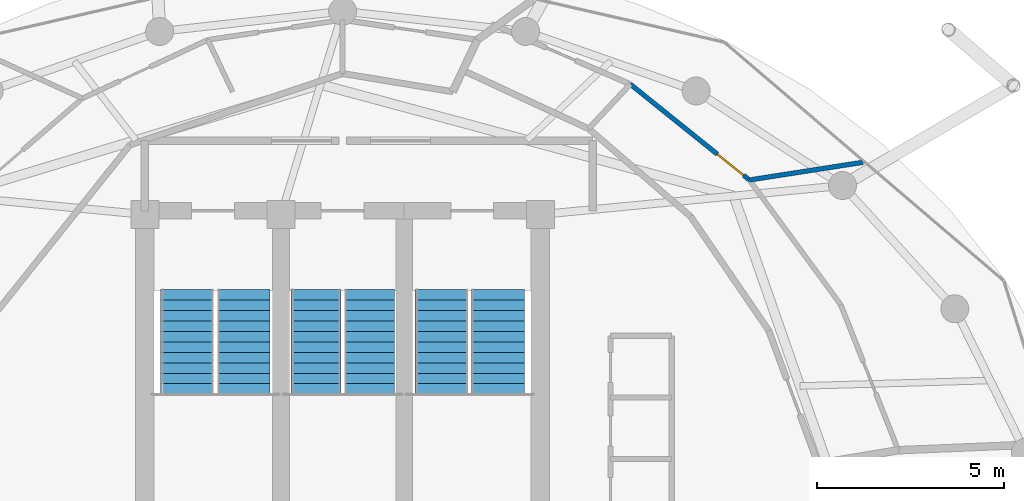
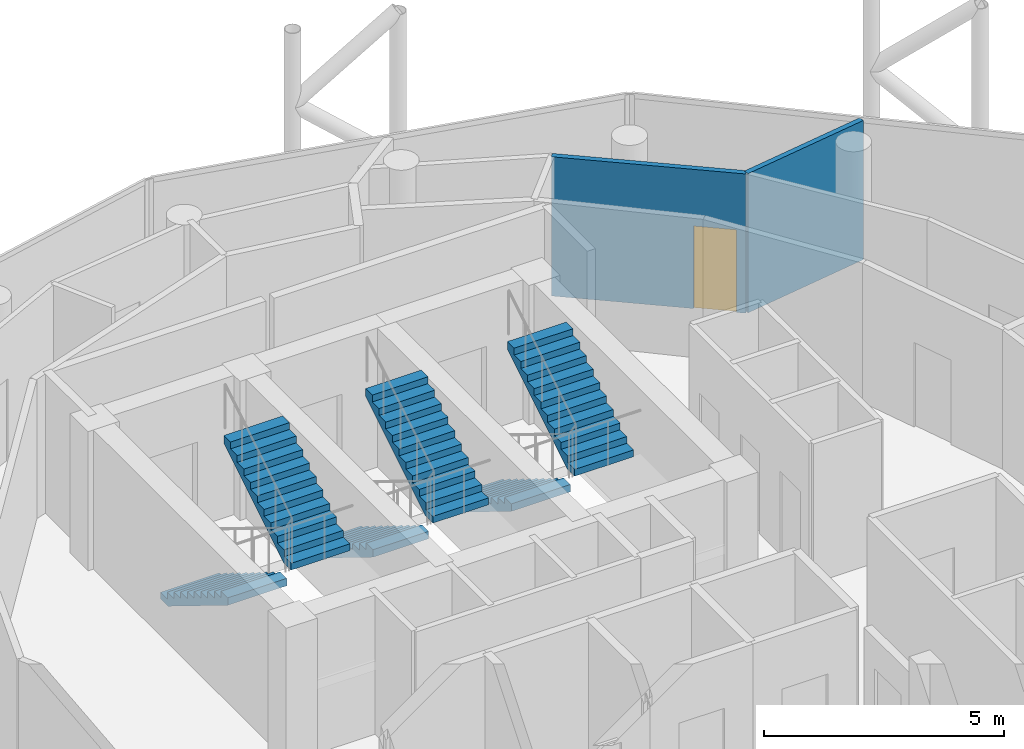
# One storey, part 23 of 24: 6 stair flights, 2 walls, 1 door, 1 opening, 3 elements without a shape of their own.
"""IFC4 building model written with IfcOpenShell, lengths in metres."""

from ifc_helpers import new_model, si_unit, direction, frame, frame_2d, origin, place, context, subcontext, project, spatial, polyline, rectangle, outline, extrude, material, layer, layer_set, type_object, element, fill, aggregate, save


model = new_model("IFC4")

# Units and contexts
model_context = context("Model", 3, precision=1e-05, world=origin(), true_north=direction((0.0, 1.0)))
body_context = subcontext(model_context, "Body", "Model", "MODEL_VIEW")
ifc_project = project(units=[si_unit("LENGTHUNIT", "METRE"), si_unit("AREAUNIT", "SQUARE_METRE"), si_unit("VOLUMEUNIT", "CUBIC_METRE"), si_unit("PLANEANGLEUNIT", "RADIAN"), si_unit("MASSUNIT", "GRAM", prefix="KILO")], contexts=[model_context])

# Site, building, storey
site_placement = place(None, origin())
site = spatial("IfcSite", under=ifc_project, at=site_placement, CompositionType="ELEMENT")
building_placement = place(site_placement, origin())
building = spatial("IfcBuilding", under=site, at=building_placement, Name="Nuhasar Tower", CompositionType="ELEMENT")
storey_placement = place(building_placement, frame((0.0, 0.0, 289.800048828125)))
storey = spatial("IfcBuildingStorey", under=building, at=storey_placement, Name="L72", CompositionType="ELEMENT", Elevation=289.800048828125)

# Wall, opening, door
ifc_material_1 = material(Name="Gypsum Board", Category="gypsum")
ifc_layer = layer(ifc_material_1, 0.125)
ifc_layer_set = layer_set([ifc_layer], Name="Gypsum Board")
wall_type = type_object("IfcWallType", Name="WL-PART-125", PredefinedType="PARTITIONING", material=ifc_layer_set)
wall_1_placement = place(storey_placement, frame((46.7099609375, 40.794921875, 0.0), z_axis=(0.0, 0.0, 1.0), x_axis=(0.779367114883, -0.62656755441, 0.0)))
wall_1 = element("IfcWall", 1, at=wall_1_placement, inside=storey, type_object=wall_type, Name="L72 Interior Partition UMID-04-A-06", PredefinedType="PARTITIONING", context=body_context, shape_type="SweptSolid", body=[
    extrude(rectangle(XDim=4.098388671875, YDim=0.125, at=frame_2d((2.04931640625, 0.0))), origin(), (0.0, 0.0, 1.0), 3.5400390625),
])
opening_placement = place(wall_1_placement, frame((2.998046875, 0.0, 0.0)))
opening = element("IfcOpeningElement", 2, at=opening_placement, cuts=wall_1, Name="Opening DR-01", PredefinedType="OPENING", context=body_context, shape_type="SweptSolid", body=[
    extrude(rectangle(XDim=0.89990234375, YDim=2.10009765625, at=frame_2d((0.449951171875, 1.050048828125))), frame((0.0, 0.072509765625, 0.0), z_axis=(0.0, -1.0, 0.0), x_axis=(1.0, 0.0, 0.0)), (0.0, 0.0, 1.0), 0.14501953125),
])
ifc_material_2 = material(Name="Timber Oak", Category="wood")
door_type = type_object("IfcDoorType", Name="DR-ROOM-900", OperationType="NOTDEFINED", PredefinedType="DOOR", material=ifc_material_2)
door_placement = place(opening_placement, origin())
door = element("IfcDoor", 3, at=door_placement, inside=storey, type_object=door_type, Name="L72 U04 Bedroom Door", OperationType="SINGLE_SWING_RIGHT", OverallHeight=2.10009765625, OverallWidth=0.89990234375, PredefinedType="DOOR", context=body_context, shape_type="SweptSolid", body=[
    extrude(rectangle(XDim=0.89990234375, YDim=2.10009765625, at=frame_2d((0.449951171875, 1.050048828125))), frame((0.0, 0.02490234375, 0.0), z_axis=(0.0, -1.0, 0.0), x_axis=(1.0, 0.0, 0.0)), (0.0, 0.0, 1.0), 0.050048828125),
])
fill(opening, door)

# Wall
wall_2_placement = place(storey_placement, frame((49.904052734375, 38.22705078125, 0.0), z_axis=(0.0, 0.0, 1.0), x_axis=(0.988120477063, 0.153681237659, 0.0)))
element("IfcWall", 4, at=wall_2_placement, inside=storey, type_object=wall_type, Name="L72 Interior Partition UOUT-04-B1", PredefinedType="PARTITIONING", context=body_context, shape_type="SweptSolid", body=[
    extrude(rectangle(XDim=3.08349609375, YDim=0.125, at=frame_2d((1.541748046875, 0.0))), origin(), (0.0, 0.0, 1.0), 3.5400390625),
])

# Stair, stair flights
ifc_material_3 = material(Name="Concrete C45/55", Category="concrete")
stair_type_1 = type_object("IfcStairType", Name="STR-ST-01-2F-22R-1727", PredefinedType="HALF_TURN_STAIR", material=ifc_material_3)
stair_1_placement = place(storey_placement, origin())
stair_1 = element("IfcStair", 5, at=stair_1_placement, inside=storey, type_object=stair_type_1, Name="L72 Exit Stair ST-01", PredefinedType="HALF_TURN_STAIR")
stair_flight_type_1 = type_object("IfcStairFlightType", Name="SFL-ST-01-11R-1727", PredefinedType="STRAIGHT", material=ifc_material_3)
stair_flight_1_placement = place(storey_placement, frame((34.830078125, 35.284912109375, 0.0), z_axis=(0.0, 0.0, 1.0), x_axis=(0.0, -1.0, 0.0)))
stair_flight_1 = element("IfcStairFlight", 6, at=stair_flight_1_placement, type_object=stair_flight_type_1, Name="ST-01 flight 1", NumberOfRisers=11, NumberOfTreads=10, PredefinedType="STRAIGHT", RiserHeight=0.172727, TreadLength=0.28, context=body_context, shape_type="SweptSolid", body=[
    extrude(outline(polyline([(0.0, 0.0), (0.0, 0.172607421875), (0.280029296875, 0.172607421875), (0.280029296875, 0.345458984375), (0.56005859375, 0.345458984375), (0.56005859375, 0.51806640625), (0.840087890625, 0.51806640625), (0.840087890625, 0.69091796875), (1.1201171875, 0.69091796875), (1.1201171875, 0.863525390625), (1.39990234375, 0.863525390625), (1.39990234375, 1.036376953125), (1.679931640625, 1.036376953125), (1.679931640625, 1.208984375), (1.9599609375, 1.208984375), (1.9599609375, 1.3818359375), (2.239990234375, 1.3818359375), (2.239990234375, 1.554443359375), (2.52001953125, 1.554443359375), (2.52001953125, 1.727294921875), (2.800048828125, 1.727294921875), (2.800048828125, 1.89990234375), (2.800048828125, 1.539306640625), (0.3046875, 0.0), (0.0, 0.0)])), frame((0.0, 0.7099609375, 0.0), z_axis=(0.0, -1.0, 0.0), x_axis=(1.0, 0.0, 0.0)), (0.0, 0.0, 1.0), 1.419921875),
])
stair_flight_2_placement = place(storey_placement, frame((36.35009765625, 32.485107421875, 1.89990234375), z_axis=(0.0, 0.0, 1.0), x_axis=(0.0, 1.0, 0.0)))
stair_flight_2 = element("IfcStairFlight", 7, at=stair_flight_2_placement, type_object=stair_flight_type_1, Name="ST-01 flight 2", NumberOfRisers=11, NumberOfTreads=10, PredefinedType="STRAIGHT", RiserHeight=0.172727, TreadLength=0.28, context=body_context, shape_type="SweptSolid", body=[
    extrude(outline(polyline([(0.0, 0.0), (0.0, 0.172607421875), (0.280029296875, 0.172607421875), (0.280029296875, 0.345458984375), (0.56005859375, 0.345458984375), (0.56005859375, 0.51806640625), (0.840087890625, 0.51806640625), (0.840087890625, 0.69091796875), (1.1201171875, 0.69091796875), (1.1201171875, 0.863525390625), (1.39990234375, 0.863525390625), (1.39990234375, 1.036376953125), (1.679931640625, 1.036376953125), (1.679931640625, 1.208984375), (1.9599609375, 1.208984375), (1.9599609375, 1.3818359375), (2.239990234375, 1.3818359375), (2.239990234375, 1.554443359375), (2.52001953125, 1.554443359375), (2.52001953125, 1.727294921875), (2.800048828125, 1.727294921875), (2.800048828125, 1.89990234375), (2.800048828125, 1.539306640625), (0.3046875, 0.0), (0.0, 0.0)])), frame((0.0, 0.7099609375, 0.0), z_axis=(0.0, -1.0, 0.0), x_axis=(1.0, 0.0, 0.0)), (0.0, 0.0, 1.0), 1.419921875),
])
aggregate(stair_1, [stair_flight_1, stair_flight_2])

stair_type_2 = type_object("IfcStairType", Name="STR-ST-02-2F-22R-1727", PredefinedType="HALF_TURN_STAIR", material=ifc_material_3)
stair_2_placement = place(storey_placement, origin())
stair_2 = element("IfcStair", 8, at=stair_2_placement, inside=storey, type_object=stair_type_2, Name="L72 Exit Stair ST-02", PredefinedType="HALF_TURN_STAIR")
stair_flight_type_2 = type_object("IfcStairFlightType", Name="SFL-ST-02-11R-1727", PredefinedType="STRAIGHT", material=ifc_material_3)
stair_flight_3_placement = place(storey_placement, frame((41.64990234375, 35.284912109375, 0.0), z_axis=(0.0, 0.0, 1.0), x_axis=(0.0, -1.0, 0.0)))
stair_flight_3 = element("IfcStairFlight", 9, at=stair_flight_3_placement, type_object=stair_flight_type_2, Name="ST-02 flight 1", NumberOfRisers=11, NumberOfTreads=10, PredefinedType="STRAIGHT", RiserHeight=0.172727, TreadLength=0.28, context=body_context, shape_type="SweptSolid", body=[
    extrude(outline(polyline([(0.0, 0.0), (0.0, 0.172607421875), (0.280029296875, 0.172607421875), (0.280029296875, 0.345458984375), (0.56005859375, 0.345458984375), (0.56005859375, 0.51806640625), (0.840087890625, 0.51806640625), (0.840087890625, 0.69091796875), (1.1201171875, 0.69091796875), (1.1201171875, 0.863525390625), (1.39990234375, 0.863525390625), (1.39990234375, 1.036376953125), (1.679931640625, 1.036376953125), (1.679931640625, 1.208984375), (1.9599609375, 1.208984375), (1.9599609375, 1.3818359375), (2.239990234375, 1.3818359375), (2.239990234375, 1.554443359375), (2.52001953125, 1.554443359375), (2.52001953125, 1.727294921875), (2.800048828125, 1.727294921875), (2.800048828125, 1.89990234375), (2.800048828125, 1.539306640625), (0.3046875, 0.0), (0.0, 0.0)])), frame((0.0, 0.7099609375, 0.0), z_axis=(0.0, -1.0, 0.0), x_axis=(1.0, 0.0, 0.0)), (0.0, 0.0, 1.0), 1.419921875),
])
stair_flight_4_placement = place(storey_placement, frame((43.169921875, 32.485107421875, 1.89990234375), z_axis=(0.0, 0.0, 1.0), x_axis=(0.0, 1.0, 0.0)))
stair_flight_4 = element("IfcStairFlight", 10, at=stair_flight_4_placement, type_object=stair_flight_type_2, Name="ST-02 flight 2", NumberOfRisers=11, NumberOfTreads=10, PredefinedType="STRAIGHT", RiserHeight=0.172727, TreadLength=0.28, context=body_context, shape_type="SweptSolid", body=[
    extrude(outline(polyline([(0.0, 0.0), (0.0, 0.172607421875), (0.280029296875, 0.172607421875), (0.280029296875, 0.345458984375), (0.56005859375, 0.345458984375), (0.56005859375, 0.51806640625), (0.840087890625, 0.51806640625), (0.840087890625, 0.69091796875), (1.1201171875, 0.69091796875), (1.1201171875, 0.863525390625), (1.39990234375, 0.863525390625), (1.39990234375, 1.036376953125), (1.679931640625, 1.036376953125), (1.679931640625, 1.208984375), (1.9599609375, 1.208984375), (1.9599609375, 1.3818359375), (2.239990234375, 1.3818359375), (2.239990234375, 1.554443359375), (2.52001953125, 1.554443359375), (2.52001953125, 1.727294921875), (2.800048828125, 1.727294921875), (2.800048828125, 1.89990234375), (2.800048828125, 1.539306640625), (0.3046875, 0.0), (0.0, 0.0)])), frame((0.0, 0.7099609375, 0.0), z_axis=(0.0, -1.0, 0.0), x_axis=(1.0, 0.0, 0.0)), (0.0, 0.0, 1.0), 1.419921875),
])
aggregate(stair_2, [stair_flight_3, stair_flight_4])

stair_type_3 = type_object("IfcStairType", Name="STR-ST-03-2F-22R-1727", PredefinedType="HALF_TURN_STAIR", material=ifc_material_3)
stair_3_placement = place(storey_placement, origin())
stair_3 = element("IfcStair", 11, at=stair_3_placement, inside=storey, type_object=stair_type_3, Name="L72 Exit Stair ST-03", PredefinedType="HALF_TURN_STAIR")
stair_flight_type_3 = type_object("IfcStairFlightType", Name="SFL-ST-03-11R-1727", PredefinedType="STRAIGHT", material=ifc_material_3)
stair_flight_5_placement = place(storey_placement, frame((38.280029296875, 35.284912109375, 0.0), z_axis=(0.0, 0.0, 1.0), x_axis=(0.0, -1.0, 0.0)))
stair_flight_5 = element("IfcStairFlight", 12, at=stair_flight_5_placement, type_object=stair_flight_type_3, Name="ST-03 flight 1", NumberOfRisers=11, NumberOfTreads=10, PredefinedType="STRAIGHT", RiserHeight=0.172727, TreadLength=0.28, context=body_context, shape_type="SweptSolid", body=[
    extrude(outline(polyline([(0.0, 0.0), (0.0, 0.172607421875), (0.280029296875, 0.172607421875), (0.280029296875, 0.345458984375), (0.56005859375, 0.345458984375), (0.56005859375, 0.51806640625), (0.840087890625, 0.51806640625), (0.840087890625, 0.69091796875), (1.1201171875, 0.69091796875), (1.1201171875, 0.863525390625), (1.39990234375, 0.863525390625), (1.39990234375, 1.036376953125), (1.679931640625, 1.036376953125), (1.679931640625, 1.208984375), (1.9599609375, 1.208984375), (1.9599609375, 1.3818359375), (2.239990234375, 1.3818359375), (2.239990234375, 1.554443359375), (2.52001953125, 1.554443359375), (2.52001953125, 1.727294921875), (2.800048828125, 1.727294921875), (2.800048828125, 1.89990234375), (2.800048828125, 1.539306640625), (0.3046875, 0.0), (0.0, 0.0)])), frame((0.0, 0.669921875, 0.0), z_axis=(0.0, -1.0, 0.0), x_axis=(1.0, 0.0, 0.0)), (0.0, 0.0, 1.0), 1.340087890625),
])
stair_flight_6_placement = place(storey_placement, frame((39.719970703125, 32.485107421875, 1.89990234375), z_axis=(0.0, 0.0, 1.0), x_axis=(0.0, 1.0, 0.0)))
stair_flight_6 = element("IfcStairFlight", 13, at=stair_flight_6_placement, type_object=stair_flight_type_3, Name="ST-03 flight 2", NumberOfRisers=11, NumberOfTreads=10, PredefinedType="STRAIGHT", RiserHeight=0.172727, TreadLength=0.28, context=body_context, shape_type="SweptSolid", body=[
    extrude(outline(polyline([(0.0, 0.0), (0.0, 0.172607421875), (0.280029296875, 0.172607421875), (0.280029296875, 0.345458984375), (0.56005859375, 0.345458984375), (0.56005859375, 0.51806640625), (0.840087890625, 0.51806640625), (0.840087890625, 0.69091796875), (1.1201171875, 0.69091796875), (1.1201171875, 0.863525390625), (1.39990234375, 0.863525390625), (1.39990234375, 1.036376953125), (1.679931640625, 1.036376953125), (1.679931640625, 1.208984375), (1.9599609375, 1.208984375), (1.9599609375, 1.3818359375), (2.239990234375, 1.3818359375), (2.239990234375, 1.554443359375), (2.52001953125, 1.554443359375), (2.52001953125, 1.727294921875), (2.800048828125, 1.727294921875), (2.800048828125, 1.89990234375), (2.800048828125, 1.539306640625), (0.3046875, 0.0), (0.0, 0.0)])), frame((0.0, 0.669921875, 0.0), z_axis=(0.0, -1.0, 0.0), x_axis=(1.0, 0.0, 0.0)), (0.0, 0.0, 1.0), 1.340087890625),
])
aggregate(stair_3, [stair_flight_5, stair_flight_6])

save(model, "model.ifc")
